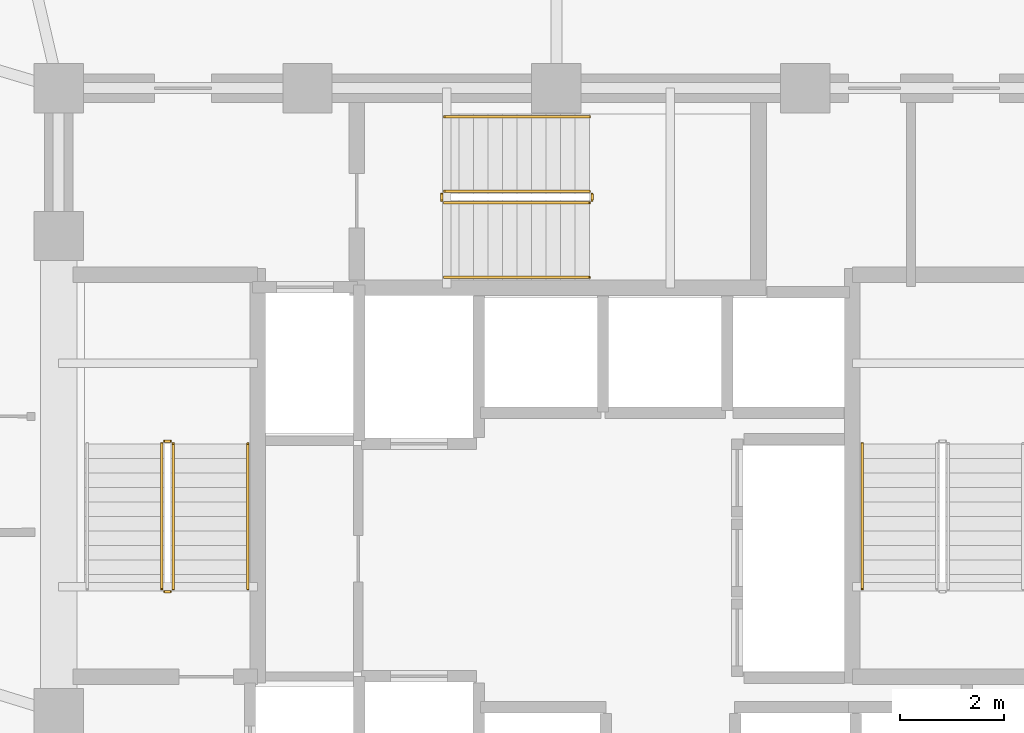
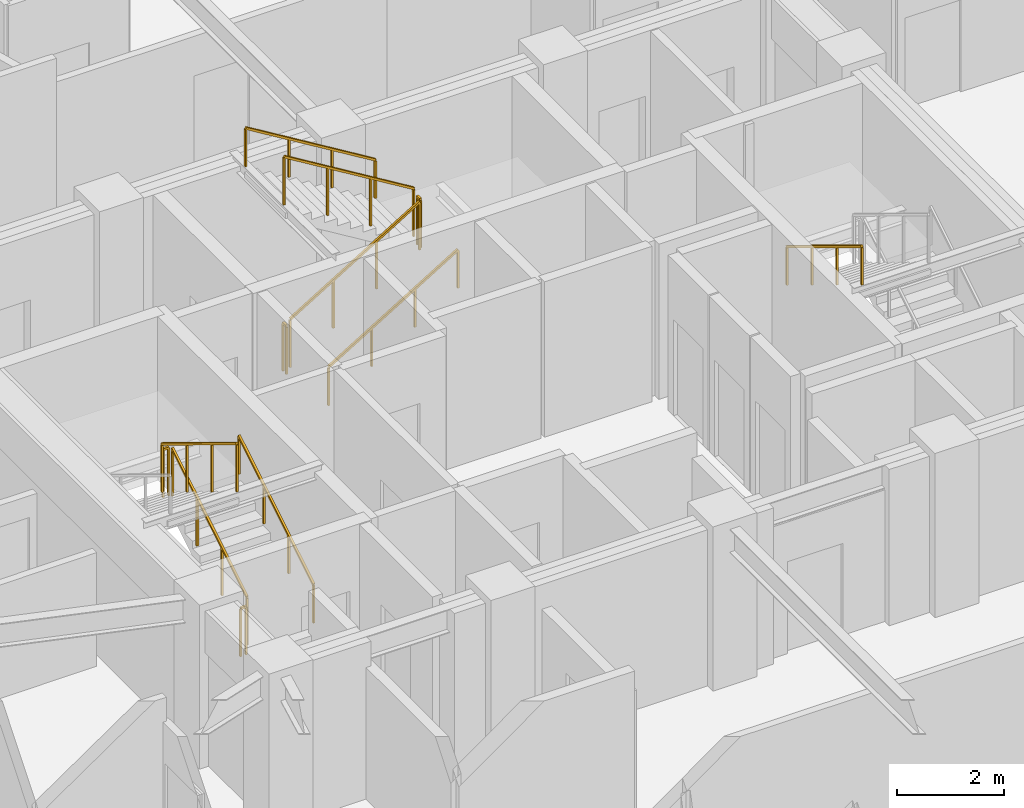
# One storey, part 10 of 12: 12 railings.
"""IFC4 building model written with IfcOpenShell, lengths in metres."""

from ifc_helpers import new_model, si_unit, direction, frame, origin, origin_2d, place, context, subcontext, project, spatial, rectangle, extrude, material, type_object, element, save


model = new_model("IFC4")

# Units and contexts
model_context = context("Model", 3, precision=1e-05, world=origin(), true_north=direction((0.0, 1.0)))
body_context = subcontext(model_context, "Body", "Model", "MODEL_VIEW")
ifc_project = project(units=[si_unit("LENGTHUNIT", "METRE"), si_unit("AREAUNIT", "SQUARE_METRE"), si_unit("VOLUMEUNIT", "CUBIC_METRE"), si_unit("PLANEANGLEUNIT", "RADIAN"), si_unit("MASSUNIT", "GRAM", prefix="KILO")], contexts=[model_context])

# Site, building, storey
site_placement = place(None, origin())
site = spatial("IfcSite", under=ifc_project, at=site_placement, CompositionType="ELEMENT")
building_placement = place(site_placement, origin())
building = spatial("IfcBuilding", under=site, at=building_placement, Name="Vantalir Tower", CompositionType="ELEMENT")
storey_placement = place(building_placement, frame((0.0, 0.0, 160.949951171875)))
storey = spatial("IfcBuildingStorey", under=building, at=storey_placement, Name="L40", CompositionType="ELEMENT", Elevation=160.949951171875)

# Railings
ifc_material_1 = material(Name="Anodised aluminium and stainless steel guard", Category="steel")
railing_type_1 = type_object("IfcRailingType", Name="RAL-GUARD-1120", PredefinedType="GUARDRAIL", material=ifc_material_1)
railing_1_placement = place(storey_placement, frame((24.110107421875, 22.7900390625, 0.17041015625)))
element("IfcRailing", 1, at=railing_1_placement, inside=storey, type_object=railing_type_1, Name="L40 ST1 stair guard 1", PredefinedType="GUARDRAIL", context=body_context, shape_type="SweptSolid", body=[
    extrude(rectangle(XDim=0.048095703125, YDim=0.048095703125, at=origin_2d()), frame((0.0, 0.0, 1.09619140625), z_axis=(0.0, 0.854169791009, 0.51999420009), x_axis=(-1.0, 0.0, 0.0)), (0.0, 0.0, 1.0), 3.278076171875),
    extrude(rectangle(XDim=0.0419921875, YDim=0.0419921875, at=origin_2d()), origin(), (0.0, 0.0, 1.0), 1.072021484375),
    extrude(rectangle(XDim=0.0419921875, YDim=0.0419921875, at=origin_2d()), frame((0.0, 0.933349609375, 0.568115234375)), (0.0, 0.0, 1.0), 1.072021484375),
    extrude(rectangle(XDim=0.0419921875, YDim=0.0419921875, at=origin_2d()), frame((0.0, 1.86669921875, 1.136474609375)), (0.0, 0.0, 1.0), 1.072021484375),
    extrude(rectangle(XDim=0.0419921875, YDim=0.0419921875, at=origin_2d()), frame((0.0, 2.800048828125, 1.70458984375)), (0.0, 0.0, 1.0), 1.072021484375),
])
railing_2_placement = place(storey_placement, frame((24.06005859375, 25.639892578125, 1.875)))
element("IfcRailing", 2, at=railing_2_placement, inside=storey, type_object=railing_type_1, Name="L40 ST1 stair guard 2", PredefinedType="GUARDRAIL", context=body_context, shape_type="SweptSolid", body=[
    extrude(rectangle(XDim=0.048095703125, YDim=0.048095703125, at=origin_2d()), frame((0.0, 0.0, 1.09619140625), z_axis=(-1.0, 0.0, 0.0), x_axis=(0.0, -1.0, 0.0)), (0.0, 0.0, 1.0), 0.1201171875),
    extrude(rectangle(XDim=0.0419921875, YDim=0.0419921875, at=origin_2d()), origin(), (0.0, 0.0, 1.0), 1.072021484375),
    extrude(rectangle(XDim=0.0419921875, YDim=0.0419921875, at=origin_2d()), frame((-0.1201171875, 0.0, 0.0)), (0.0, 0.0, 1.0), 1.072021484375),
])
railing_3_placement = place(storey_placement, frame((23.889892578125, 25.590087890625, 2.04541015625)))
element("IfcRailing", 3, at=railing_3_placement, inside=storey, type_object=railing_type_1, Name="L40 ST1 stair guard 3", PredefinedType="GUARDRAIL", context=body_context, shape_type="SweptSolid", body=[
    extrude(rectangle(XDim=0.048095703125, YDim=0.048095703125, at=origin_2d()), frame((0.0, 0.0, 1.09619140625), z_axis=(0.0, -0.854169791009, 0.51999420009), x_axis=(1.0, 0.0, 0.0)), (0.0, 0.0, 1.0), 3.278076171875),
    extrude(rectangle(XDim=0.0419921875, YDim=0.0419921875, at=origin_2d()), origin(), (0.0, 0.0, 1.0), 1.072021484375),
    extrude(rectangle(XDim=0.0419921875, YDim=0.0419921875, at=origin_2d()), frame((0.0, -0.933349609375, 0.568115234375)), (0.0, 0.0, 1.0), 1.072021484375),
    extrude(rectangle(XDim=0.0419921875, YDim=0.0419921875, at=origin_2d()), frame((0.0, -1.86669921875, 1.136474609375)), (0.0, 0.0, 1.0), 1.072021484375),
    extrude(rectangle(XDim=0.0419921875, YDim=0.0419921875, at=origin_2d()), frame((0.0, -2.800048828125, 1.70458984375)), (0.0, 0.0, 1.0), 1.072021484375),
])
railing_4_placement = place(storey_placement, frame((24.06005859375, 22.739990234375, 0.0)))
element("IfcRailing", 4, at=railing_4_placement, inside=storey, type_object=railing_type_1, Name="L40 ST1 stair guard 4", PredefinedType="GUARDRAIL", context=body_context, shape_type="SweptSolid", body=[
    extrude(rectangle(XDim=0.048095703125, YDim=0.048095703125, at=origin_2d()), frame((0.0, 0.0, 1.09619140625), z_axis=(-1.0, 0.0, 0.0), x_axis=(0.0, -1.0, 0.0)), (0.0, 0.0, 1.0), 0.1201171875),
    extrude(rectangle(XDim=0.0419921875, YDim=0.0419921875, at=origin_2d()), origin(), (0.0, 0.0, 1.0), 1.072021484375),
    extrude(rectangle(XDim=0.0419921875, YDim=0.0419921875, at=origin_2d()), frame((-0.1201171875, 0.0, 0.0)), (0.0, 0.0, 1.0), 1.072021484375),
])
railing_5_placement = place(storey_placement, frame((29.340087890625, 30.239990234375, 0.17041015625)))
element("IfcRailing", 5, at=railing_5_placement, inside=storey, type_object=railing_type_1, Name="L40 ST3 stair guard 1", PredefinedType="GUARDRAIL", context=body_context, shape_type="SweptSolid", body=[
    extrude(rectangle(XDim=0.048095703125, YDim=0.048095703125, at=origin_2d()), frame((0.0, 0.0, 1.09619140625), z_axis=(0.854149651119, 0.0, 0.520027281489), x_axis=(0.0, 1.0, 0.0)), (0.0, 0.0, 1.0), 3.27783203125),
    extrude(rectangle(XDim=0.0419921875, YDim=0.0419921875, at=origin_2d()), origin(), (0.0, 0.0, 1.0), 1.072021484375),
    extrude(rectangle(XDim=0.0419921875, YDim=0.0419921875, at=origin_2d()), frame((0.933349609375, 0.0, 0.568115234375)), (0.0, 0.0, 1.0), 1.072021484375),
    extrude(rectangle(XDim=0.0419921875, YDim=0.0419921875, at=origin_2d()), frame((1.866455078125, 0.0, 1.136474609375)), (0.0, 0.0, 1.0), 1.072021484375),
    extrude(rectangle(XDim=0.0419921875, YDim=0.0419921875, at=origin_2d()), frame((2.7998046875, 0.0, 1.70458984375)), (0.0, 0.0, 1.0), 1.072021484375),
])
railing_6_placement = place(storey_placement, frame((32.18994140625, 30.2900390625, 1.875)))
element("IfcRailing", 6, at=railing_6_placement, inside=storey, type_object=railing_type_1, Name="L40 ST3 stair guard 2", PredefinedType="GUARDRAIL", context=body_context, shape_type="SweptSolid", body=[
    extrude(rectangle(XDim=0.048095703125, YDim=0.048095703125, at=origin_2d()), frame((0.0, 0.0, 1.09619140625), z_axis=(0.0, 1.0, 0.0), x_axis=(-1.0, 0.0, 0.0)), (0.0, 0.0, 1.0), 0.119873046875),
    extrude(rectangle(XDim=0.0419921875, YDim=0.0419921875, at=origin_2d()), origin(), (0.0, 0.0, 1.0), 1.072021484375),
    extrude(rectangle(XDim=0.0419921875, YDim=0.0419921875, at=origin_2d()), frame((0.0, 0.119873046875, 0.0)), (0.0, 0.0, 1.0), 1.072021484375),
])
railing_7_placement = place(storey_placement, frame((32.139892578125, 30.4599609375, 2.04541015625)))
element("IfcRailing", 7, at=railing_7_placement, inside=storey, type_object=railing_type_1, Name="L40 ST3 stair guard 3", PredefinedType="GUARDRAIL", context=body_context, shape_type="SweptSolid", body=[
    extrude(rectangle(XDim=0.048095703125, YDim=0.048095703125, at=origin_2d()), frame((0.0, 0.0, 1.09619140625), z_axis=(-0.854149651119, 0.0, 0.520027281489), x_axis=(0.0, -1.0, 0.0)), (0.0, 0.0, 1.0), 3.27783203125),
    extrude(rectangle(XDim=0.0419921875, YDim=0.0419921875, at=origin_2d()), origin(), (0.0, 0.0, 1.0), 1.072021484375),
    extrude(rectangle(XDim=0.0419921875, YDim=0.0419921875, at=origin_2d()), frame((-0.933349609375, 0.0, 0.568115234375)), (0.0, 0.0, 1.0), 1.072021484375),
    extrude(rectangle(XDim=0.0419921875, YDim=0.0419921875, at=origin_2d()), frame((-1.866455078125, 0.0, 1.136474609375)), (0.0, 0.0, 1.0), 1.072021484375),
    extrude(rectangle(XDim=0.0419921875, YDim=0.0419921875, at=origin_2d()), frame((-2.7998046875, 0.0, 1.70458984375)), (0.0, 0.0, 1.0), 1.072021484375),
])
railing_8_placement = place(storey_placement, frame((29.2900390625, 30.2900390625, 0.0)))
element("IfcRailing", 8, at=railing_8_placement, inside=storey, type_object=railing_type_1, Name="L40 ST3 stair guard 4", PredefinedType="GUARDRAIL", context=body_context, shape_type="SweptSolid", body=[
    extrude(rectangle(XDim=0.048095703125, YDim=0.048095703125, at=origin_2d()), frame((0.0, 0.0, 1.09619140625), z_axis=(0.0, 1.0, 0.0), x_axis=(-1.0, 0.0, 0.0)), (0.0, 0.0, 1.0), 0.119873046875),
    extrude(rectangle(XDim=0.0419921875, YDim=0.0419921875, at=origin_2d()), origin(), (0.0, 0.0, 1.0), 1.072021484375),
    extrude(rectangle(XDim=0.0419921875, YDim=0.0419921875, at=origin_2d()), frame((0.0, 0.119873046875, 0.0)), (0.0, 0.0, 1.0), 1.072021484375),
])
ifc_material_2 = material(Name="Brushed stainless steel tubular handrail", Category="steel")
railing_type_2 = type_object("IfcRailingType", Name="RAL-HANDRAIL-900", PredefinedType="HANDRAIL", material=ifc_material_2)
railing_9_placement = place(storey_placement, frame((25.550048828125, 22.7900390625, 0.17041015625)))
element("IfcRailing", 9, at=railing_9_placement, inside=storey, type_object=railing_type_2, Name="L40 ST1 stair handrail 1", PredefinedType="HANDRAIL", context=body_context, shape_type="SweptSolid", body=[
    extrude(rectangle(XDim=0.048095703125, YDim=0.048095703125, at=origin_2d()), frame((0.0, 0.0, 0.8759765625), z_axis=(0.0, 0.854169791009, 0.51999420009), x_axis=(-1.0, 0.0, 0.0)), (0.0, 0.0, 1.0), 3.278076171875),
    extrude(rectangle(XDim=0.0419921875, YDim=0.0419921875, at=origin_2d()), origin(), (0.0, 0.0, 1.0), 0.851806640625),
    extrude(rectangle(XDim=0.0419921875, YDim=0.0419921875, at=origin_2d()), frame((0.0, 0.933349609375, 0.568115234375)), (0.0, 0.0, 1.0), 0.851806640625),
    extrude(rectangle(XDim=0.0419921875, YDim=0.0419921875, at=origin_2d()), frame((0.0, 1.86669921875, 1.136474609375)), (0.0, 0.0, 1.0), 0.851806640625),
    extrude(rectangle(XDim=0.0419921875, YDim=0.0419921875, at=origin_2d()), frame((0.0, 2.800048828125, 1.70458984375)), (0.0, 0.0, 1.0), 0.851806640625),
])
railing_10_placement = place(storey_placement, frame((37.39990234375, 25.590087890625, 2.04541015625)))
element("IfcRailing", 10, at=railing_10_placement, inside=storey, type_object=railing_type_2, Name="L40 ST2 stair handrail 2", PredefinedType="HANDRAIL", context=body_context, shape_type="SweptSolid", body=[
    extrude(rectangle(XDim=0.048095703125, YDim=0.048095703125, at=origin_2d()), frame((0.0, 0.0, 0.8759765625), z_axis=(0.0, -0.854169791009, 0.51999420009), x_axis=(1.0, 0.0, 0.0)), (0.0, 0.0, 1.0), 3.278076171875),
    extrude(rectangle(XDim=0.0419921875, YDim=0.0419921875, at=origin_2d()), origin(), (0.0, 0.0, 1.0), 0.851806640625),
    extrude(rectangle(XDim=0.0419921875, YDim=0.0419921875, at=origin_2d()), frame((0.0, -0.933349609375, 0.568115234375)), (0.0, 0.0, 1.0), 0.851806640625),
    extrude(rectangle(XDim=0.0419921875, YDim=0.0419921875, at=origin_2d()), frame((0.0, -1.86669921875, 1.136474609375)), (0.0, 0.0, 1.0), 0.851806640625),
    extrude(rectangle(XDim=0.0419921875, YDim=0.0419921875, at=origin_2d()), frame((0.0, -2.800048828125, 1.70458984375)), (0.0, 0.0, 1.0), 0.851806640625),
])
railing_11_placement = place(storey_placement, frame((29.340087890625, 28.800048828125, 0.17041015625)))
element("IfcRailing", 11, at=railing_11_placement, inside=storey, type_object=railing_type_2, Name="L40 ST3 stair handrail 1", PredefinedType="HANDRAIL", context=body_context, shape_type="SweptSolid", body=[
    extrude(rectangle(XDim=0.048095703125, YDim=0.048095703125, at=origin_2d()), frame((0.0, 0.0, 0.8759765625), z_axis=(0.854149651119, 0.0, 0.520027281489), x_axis=(0.0, 1.0, 0.0)), (0.0, 0.0, 1.0), 3.27783203125),
    extrude(rectangle(XDim=0.0419921875, YDim=0.0419921875, at=origin_2d()), origin(), (0.0, 0.0, 1.0), 0.851806640625),
    extrude(rectangle(XDim=0.0419921875, YDim=0.0419921875, at=origin_2d()), frame((0.933349609375, 0.0, 0.568115234375)), (0.0, 0.0, 1.0), 0.851806640625),
    extrude(rectangle(XDim=0.0419921875, YDim=0.0419921875, at=origin_2d()), frame((1.866455078125, 0.0, 1.136474609375)), (0.0, 0.0, 1.0), 0.851806640625),
    extrude(rectangle(XDim=0.0419921875, YDim=0.0419921875, at=origin_2d()), frame((2.7998046875, 0.0, 1.70458984375)), (0.0, 0.0, 1.0), 0.851806640625),
])
railing_12_placement = place(storey_placement, frame((32.139892578125, 31.89990234375, 2.04541015625)))
element("IfcRailing", 12, at=railing_12_placement, inside=storey, type_object=railing_type_2, Name="L40 ST3 stair handrail 2", PredefinedType="HANDRAIL", context=body_context, shape_type="SweptSolid", body=[
    extrude(rectangle(XDim=0.048095703125, YDim=0.048095703125, at=origin_2d()), frame((0.0, 0.0, 0.8759765625), z_axis=(-0.854149651119, 0.0, 0.520027281489), x_axis=(0.0, -1.0, 0.0)), (0.0, 0.0, 1.0), 3.27783203125),
    extrude(rectangle(XDim=0.0419921875, YDim=0.0419921875, at=origin_2d()), origin(), (0.0, 0.0, 1.0), 0.851806640625),
    extrude(rectangle(XDim=0.0419921875, YDim=0.0419921875, at=origin_2d()), frame((-0.933349609375, 0.0, 0.568115234375)), (0.0, 0.0, 1.0), 0.851806640625),
    extrude(rectangle(XDim=0.0419921875, YDim=0.0419921875, at=origin_2d()), frame((-1.866455078125, 0.0, 1.136474609375)), (0.0, 0.0, 1.0), 0.851806640625),
    extrude(rectangle(XDim=0.0419921875, YDim=0.0419921875, at=origin_2d()), frame((-2.7998046875, 0.0, 1.70458984375)), (0.0, 0.0, 1.0), 0.851806640625),
])

save(model, "model.ifc")
